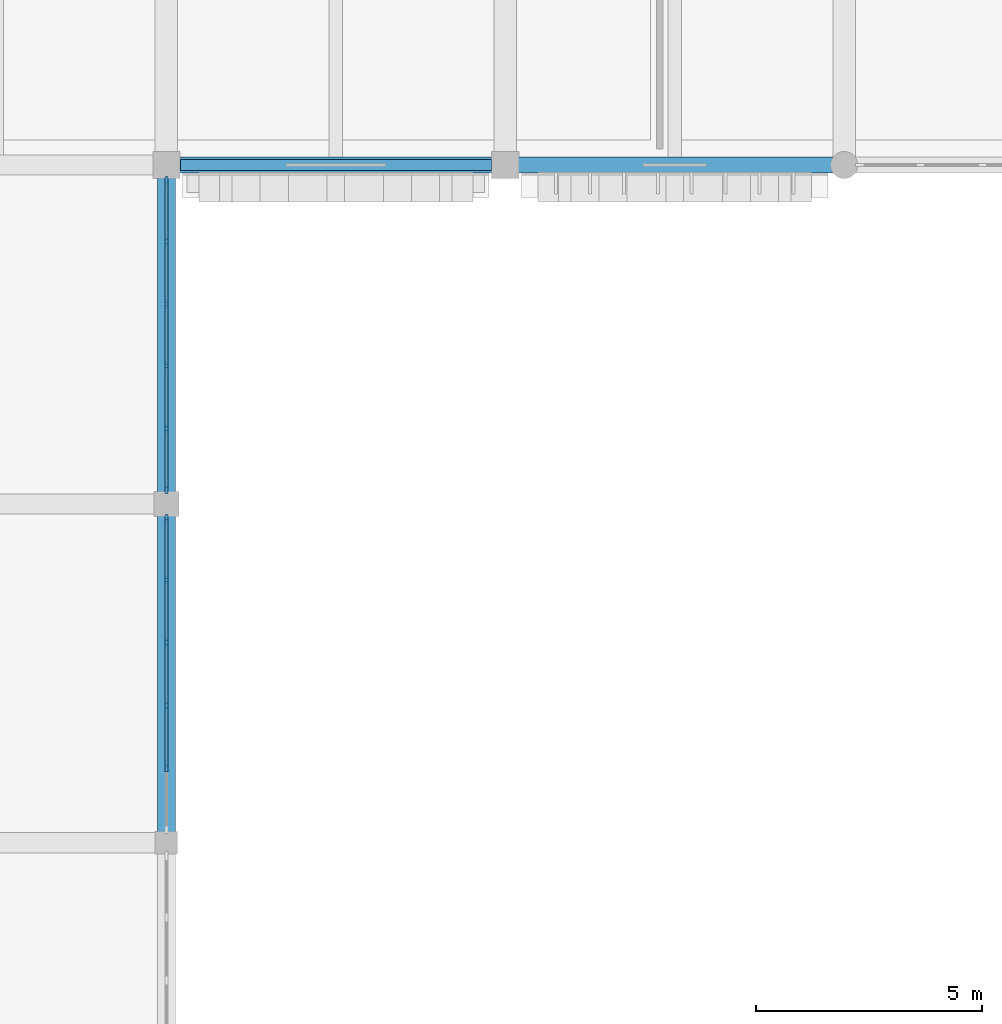
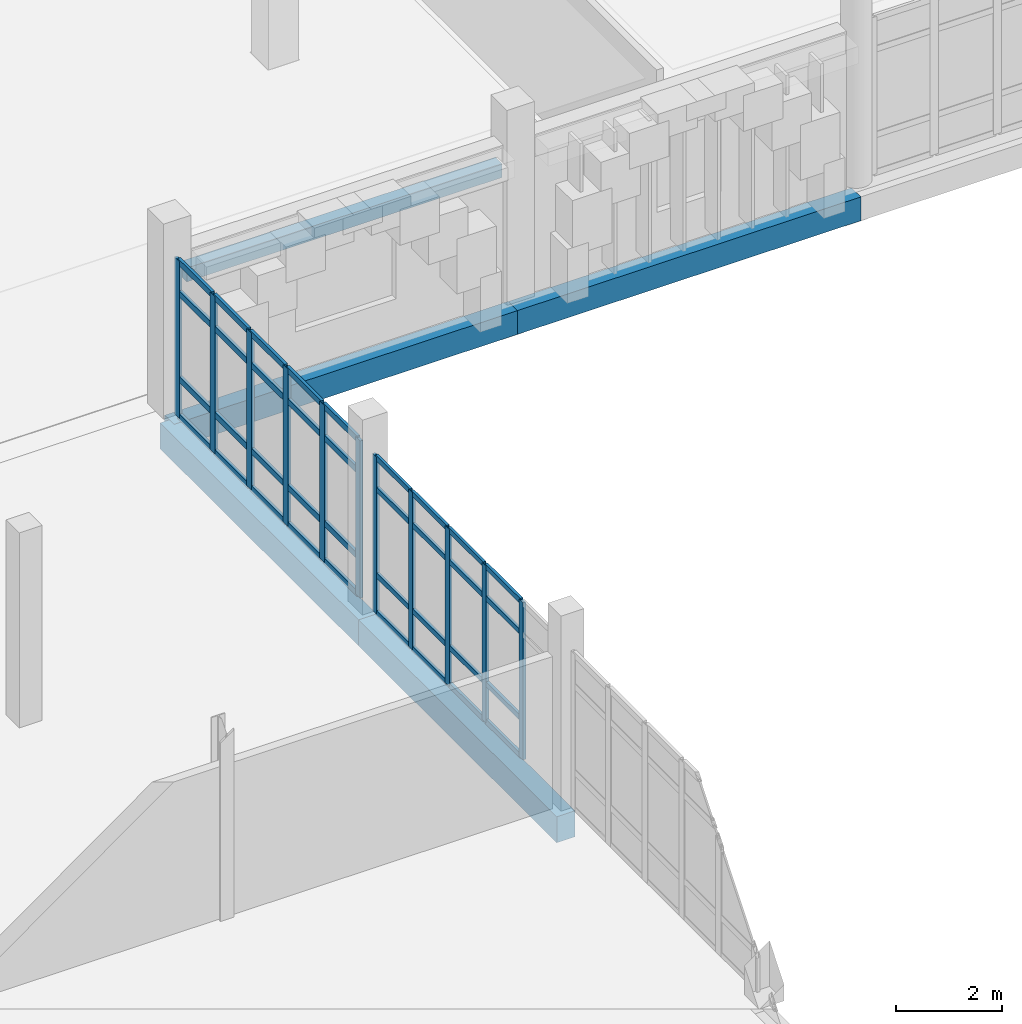
# One storey, part 52 of 128: 47 members, 5 beams, 2 elements without a shape of their own.
"""IFC4 building model written with IfcOpenShell, lengths in metres."""

from ifc_helpers import new_model, si_unit, direction, frame, origin, origin_2d, place, context, subcontext, project, spatial, rectangle, extrude, material, layer, layer_set, material_profile, profile_set, type_object, element, aggregate, save


model = new_model("IFC4")

# Units and contexts
model_context = context("Model", 3, precision=1e-05, world=origin(), true_north=direction((0.0, 1.0)))
body_context = subcontext(model_context, "Body", "Model", "MODEL_VIEW")
ifc_project = project(units=[si_unit("LENGTHUNIT", "METRE"), si_unit("AREAUNIT", "SQUARE_METRE"), si_unit("VOLUMEUNIT", "CUBIC_METRE"), si_unit("PLANEANGLEUNIT", "RADIAN"), si_unit("MASSUNIT", "GRAM", prefix="KILO")], contexts=[model_context])

# Site, building, storey
site_placement = place(None, origin())
site = spatial("IfcSite", under=ifc_project, at=site_placement, CompositionType="ELEMENT")
building_placement = place(site_placement, origin())
building = spatial("IfcBuilding", under=site, at=building_placement, Name="Dalvernix Boulevard General Hospital", CompositionType="ELEMENT")
storey_placement = place(building_placement, frame((0.0, 0.0, 4.800048828125)))
storey = spatial("IfcBuildingStorey", under=building, at=storey_placement, Name="L01", CompositionType="ELEMENT", Elevation=4.800048828125)

# Beams
ifc_material_1 = material(Name="Precast concrete C40/50", Category="concrete")
ifc_material_profile_1 = material_profile(ifc_material_1, rectangle(XDim=0.25, YDim=0.320068359375, at=origin_2d()), Name="RCL 250x320")
ifc_profile_set_1 = profile_set([ifc_material_profile_1], Name="Precast concrete C40/50")
beam_type_1 = type_object("IfcBeamType", Name="BM-LB-01", PredefinedType="LINTEL", material=ifc_profile_set_1)
beam_placement = place(storey_placement, frame((119.68994140625, 76.5, 3.010009765625), z_axis=(-1.0, 0.0, 0.0), x_axis=(0.0, -1.0, 0.0)))
element("IfcBeam", 1, at=beam_placement, inside=storey, type_object=beam_type_1, Name="L01 precast window lintel S 15-10", PredefinedType="LINTEL", context=body_context, shape_type="SweptSolid", body=[
    extrude(rectangle(XDim=0.25, YDim=0.320068359375, at=origin_2d()), origin(), (0.0, 0.0, 1.0), 6.8798828125),
])
ifc_material_2 = material(Name="Concrete C35/45", Category="concrete")
ifc_material_profile_2 = material_profile(ifc_material_2, rectangle(XDim=0.35009765625, YDim=0.550048828125, at=origin_2d()), Name="RCB 350x550")
ifc_profile_set_2 = profile_set([ifc_material_profile_2], Name="Concrete C35/45")
beam_type_2 = type_object("IfcBeamType", Name="BM-SB-01-E", PredefinedType="SPANDREL", material=ifc_profile_set_2)
for number, where, z_axis, x_axis, name in (
    (2, (112.5, 76.5, -0.574951171875), (1.0, 0.0, 0.0), (0.0, 1.0, 0.0), "L01 E-W girder L:16-17"),
    (3, (120.0, 76.5, -0.574951171875), (1.0, 0.0, 0.0), (0.0, 1.0, 0.0), "L01 E-W girder L:17-18"),
):
    element("IfcBeam", number, at=place(storey_placement, frame(where, z_axis=z_axis, x_axis=x_axis)), inside=storey, type_object=beam_type_2, Name=name, PredefinedType="SPANDREL", context=body_context, shape_type="SweptSolid", body=[
        extrude(rectangle(XDim=0.35009765625, YDim=0.550048828125, at=origin_2d()), origin(), (0.0, 0.0, 1.0), 7.5),
    ])
ifc_material_profile_3 = material_profile(ifc_material_2, rectangle(XDim=0.39990234375, YDim=0.60009765625, at=origin_2d()), Name="RCB 400x600")
ifc_profile_set_3 = profile_set([ifc_material_profile_3], Name="Concrete C35/45")
beam_type_3 = type_object("IfcBeamType", Name="BM-SB-02-E", PredefinedType="SPANDREL", material=ifc_profile_set_3)
for number, where, z_axis, x_axis, name in (
    (4, (112.5, 61.5, -0.60009765625), (0.0, 1.0, 0.0), (-1.0, 0.0, 0.0), "L01 N-S girder 16:J-K"),
    (5, (112.5, 69.0, -0.60009765625), (0.0, 1.0, 0.0), (-1.0, 0.0, 0.0), "L01 N-S girder 16:K-L"),
):
    element("IfcBeam", number, at=place(storey_placement, frame(where, z_axis=z_axis, x_axis=x_axis)), inside=storey, type_object=beam_type_3, Name=name, PredefinedType="SPANDREL", context=body_context, shape_type="SweptSolid", body=[
        extrude(rectangle(XDim=0.39990234375, YDim=0.60009765625, at=origin_2d()), origin(), (0.0, 0.0, 1.0), 7.5),
    ])

# Curtain wall, members
ifc_material_3 = material(Name="Thermally broken aluminium and solar-control glass curtain wall", Category="aluminium")
ifc_layer_1 = layer(ifc_material_3, 0.159912109375)
ifc_layer_set_1 = layer_set([ifc_layer_1], Name="Thermally broken aluminium and solar-control glass curtain wall (CW-CW-A-70x36)")
curtain_wall_type_1 = type_object("IfcCurtainWallType", Name="CW-CW-A-70x36", PredefinedType="USERDEFINED", material=ifc_layer_set_1)
curtain_wall_1_placement = place(storey_placement, origin())
curtain_wall_1 = element("IfcCurtainWall", 6, at=curtain_wall_1_placement, inside=storey, type_object=curtain_wall_type_1, Name="L01 curtain wall CW-A-70x36 15-8", ObjectType="GLAZED FACADE", PredefinedType="USERDEFINED")
ifc_material_4 = material(Name="Aluminium EN AW-6060", Category="aluminium")
ifc_material_profile_4 = material_profile(ifc_material_4, rectangle(XDim=0.06005859375, YDim=0.159912109375, at=origin_2d()), Name="ALU MULL 60x160")
ifc_profile_set_4 = profile_set([ifc_material_profile_4], Name="Aluminium EN AW-6060")
member_type_1 = type_object("IfcMemberType", Name="MEM-CW-M1", PredefinedType="MULLION", material=ifc_profile_set_4)
member_1_placement = place(storey_placement, frame((112.5, 68.68505859375, 0.0), z_axis=(0.0, 0.0, 1.0), x_axis=(1.0, 0.0, 0.0)))
member_1 = element("IfcMember", 7, at=member_1_placement, type_object=member_type_1, Name="CW-A-70x36 mullion 1", PredefinedType="MULLION", context=body_context, shape_type="SweptSolid", body=[
    extrude(rectangle(XDim=0.06005859375, YDim=0.159912109375, at=origin_2d()), origin(), (0.0, 0.0, 1.0), 3.6298828125),
])
member_2_placement = place(storey_placement, frame((112.5, 67.323974609375, 0.0), z_axis=(0.0, 0.0, 1.0), x_axis=(1.0, 0.0, 0.0)))
member_2 = element("IfcMember", 8, at=member_2_placement, type_object=member_type_1, Name="CW-A-70x36 mullion 2", PredefinedType="MULLION", context=body_context, shape_type="SweptSolid", body=[
    extrude(rectangle(XDim=0.06005859375, YDim=0.159912109375, at=origin_2d()), origin(), (0.0, 0.0, 1.0), 3.6298828125),
])
member_3_placement = place(storey_placement, frame((112.5, 65.93310546875, 0.0), z_axis=(0.0, 0.0, 1.0), x_axis=(1.0, 0.0, 0.0)))
member_3 = element("IfcMember", 9, at=member_3_placement, type_object=member_type_1, Name="CW-A-70x36 mullion 3", PredefinedType="MULLION", context=body_context, shape_type="SweptSolid", body=[
    extrude(rectangle(XDim=0.06005859375, YDim=0.159912109375, at=origin_2d()), origin(), (0.0, 0.0, 1.0), 3.6298828125),
])
member_4_placement = place(storey_placement, frame((112.5, 64.5419921875, 0.0), z_axis=(0.0, 0.0, 1.0), x_axis=(1.0, 0.0, 0.0)))
member_4 = element("IfcMember", 10, at=member_4_placement, type_object=member_type_1, Name="CW-A-70x36 mullion 4", PredefinedType="MULLION", context=body_context, shape_type="SweptSolid", body=[
    extrude(rectangle(XDim=0.06005859375, YDim=0.159912109375, at=origin_2d()), origin(), (0.0, 0.0, 1.0), 3.6298828125),
])
member_5_placement = place(storey_placement, frame((112.5, 63.15087890625, 0.0), z_axis=(0.0, 0.0, 1.0), x_axis=(1.0, 0.0, 0.0)))
member_5 = element("IfcMember", 11, at=member_5_placement, type_object=member_type_1, Name="CW-A-70x36 mullion 5", PredefinedType="MULLION", context=body_context, shape_type="SweptSolid", body=[
    extrude(rectangle(XDim=0.06005859375, YDim=0.159912109375, at=origin_2d()), origin(), (0.0, 0.0, 1.0), 3.6298828125),
])

ifc_layer_2 = layer(ifc_material_3, 0.179931640625)
ifc_layer_set_2 = layer_set([ifc_layer_2], Name="Thermally broken aluminium and solar-control glass curtain wall (CW-CW-B-69x36)")
curtain_wall_type_2 = type_object("IfcCurtainWallType", Name="CW-CW-B-69x36", PredefinedType="USERDEFINED", material=ifc_layer_set_2)
curtain_wall_2_placement = place(storey_placement, origin())
curtain_wall_2 = element("IfcCurtainWall", 12, at=curtain_wall_2_placement, inside=storey, type_object=curtain_wall_type_2, Name="L01 curtain wall CW-B-69x36 15-9", ObjectType="GLAZED FACADE", PredefinedType="USERDEFINED")
ifc_material_profile_5 = material_profile(ifc_material_4, rectangle(XDim=0.06494140625, YDim=0.179931640625, at=origin_2d()), Name="ALU MULL 65x180")
ifc_profile_set_5 = profile_set([ifc_material_profile_5], Name="Aluminium EN AW-6060")
member_type_2 = type_object("IfcMemberType", Name="MEM-CW-M2", PredefinedType="MULLION", material=ifc_profile_set_5)
member_6_placement = place(storey_placement, frame((112.5, 76.157470703125, 0.0), z_axis=(0.0, 0.0, 1.0), x_axis=(1.0, 0.0, 0.0)))
member_6 = element("IfcMember", 13, at=member_6_placement, type_object=member_type_2, Name="CW-B-69x36 mullion 1", PredefinedType="MULLION", context=body_context, shape_type="SweptSolid", body=[
    extrude(rectangle(XDim=0.06494140625, YDim=0.179931640625, at=origin_2d()), origin(), (0.0, 0.0, 1.0), 3.6298828125),
])
member_7_placement = place(storey_placement, frame((112.5, 74.80908203125, 0.0), z_axis=(0.0, 0.0, 1.0), x_axis=(1.0, 0.0, 0.0)))
member_7 = element("IfcMember", 14, at=member_7_placement, type_object=member_type_2, Name="CW-B-69x36 mullion 2", PredefinedType="MULLION", context=body_context, shape_type="SweptSolid", body=[
    extrude(rectangle(XDim=0.06494140625, YDim=0.179931640625, at=origin_2d()), origin(), (0.0, 0.0, 1.0), 3.6298828125),
])
member_8_placement = place(storey_placement, frame((112.5, 73.427978515625, 0.0), z_axis=(0.0, 0.0, 1.0), x_axis=(1.0, 0.0, 0.0)))
member_8 = element("IfcMember", 15, at=member_8_placement, type_object=member_type_2, Name="CW-B-69x36 mullion 3", PredefinedType="MULLION", context=body_context, shape_type="SweptSolid", body=[
    extrude(rectangle(XDim=0.06494140625, YDim=0.179931640625, at=origin_2d()), origin(), (0.0, 0.0, 1.0), 3.6298828125),
])
member_9_placement = place(storey_placement, frame((112.5, 72.047119140625, 0.0), z_axis=(0.0, 0.0, 1.0), x_axis=(1.0, 0.0, 0.0)))
member_9 = element("IfcMember", 16, at=member_9_placement, type_object=member_type_2, Name="CW-B-69x36 mullion 4", PredefinedType="MULLION", context=body_context, shape_type="SweptSolid", body=[
    extrude(rectangle(XDim=0.06494140625, YDim=0.179931640625, at=origin_2d()), origin(), (0.0, 0.0, 1.0), 3.6298828125),
])
member_10_placement = place(storey_placement, frame((112.5, 70.666015625, 0.0), z_axis=(0.0, 0.0, 1.0), x_axis=(1.0, 0.0, 0.0)))
member_10 = element("IfcMember", 17, at=member_10_placement, type_object=member_type_2, Name="CW-B-69x36 mullion 5", PredefinedType="MULLION", context=body_context, shape_type="SweptSolid", body=[
    extrude(rectangle(XDim=0.06494140625, YDim=0.179931640625, at=origin_2d()), origin(), (0.0, 0.0, 1.0), 3.6298828125),
])
member_11_placement = place(storey_placement, frame((112.5, 69.3173828125, 0.0), z_axis=(0.0, 0.0, 1.0), x_axis=(1.0, 0.0, 0.0)))
member_11 = element("IfcMember", 18, at=member_11_placement, type_object=member_type_2, Name="CW-B-69x36 mullion 6", PredefinedType="MULLION", context=body_context, shape_type="SweptSolid", body=[
    extrude(rectangle(XDim=0.06494140625, YDim=0.179931640625, at=origin_2d()), origin(), (0.0, 0.0, 1.0), 3.6298828125),
])

# Member
ifc_material_profile_6 = material_profile(ifc_material_4, rectangle(XDim=0.06005859375, YDim=0.1201171875, at=origin_2d()), Name="ALU TRAN 60x120")
ifc_profile_set_6 = profile_set([ifc_material_profile_6], Name="Aluminium EN AW-6060")
member_type_3 = type_object("IfcMemberType", Name="MEM-CW-T1", PredefinedType="USERDEFINED", material=ifc_profile_set_6)
member_12_placement = place(storey_placement, frame((112.5, 68.655029296875, 0.030029296875), z_axis=(0.0, -1.0, 0.0), x_axis=(1.0, 0.0, 0.0)))
member_12 = element("IfcMember", 19, at=member_12_placement, type_object=member_type_3, Name="CW-A-70x36 transom 1.1", ObjectType="TRANSOM", PredefinedType="USERDEFINED", context=body_context, shape_type="SweptSolid", body=[
    extrude(rectangle(XDim=0.06005859375, YDim=0.1201171875, at=origin_2d()), origin(), (0.0, 0.0, 1.0), 1.301025390625),
])

member_13_placement = place(storey_placement, frame((112.5, 68.655029296875, 0.89990234375), z_axis=(0.0, -1.0, 0.0), x_axis=(1.0, 0.0, 0.0)))
member_13 = element("IfcMember", 20, at=member_13_placement, type_object=member_type_3, Name="CW-A-70x36 transom 1.2", ObjectType="TRANSOM", PredefinedType="USERDEFINED", context=body_context, shape_type="SweptSolid", body=[
    extrude(rectangle(XDim=0.06005859375, YDim=0.1201171875, at=origin_2d()), origin(), (0.0, 0.0, 1.0), 1.301025390625),
])

member_14_placement = place(storey_placement, frame((112.5, 68.655029296875, 2.8798828125), z_axis=(0.0, -1.0, 0.0), x_axis=(1.0, 0.0, 0.0)))
member_14 = element("IfcMember", 21, at=member_14_placement, type_object=member_type_3, Name="CW-A-70x36 transom 1.3", ObjectType="TRANSOM", PredefinedType="USERDEFINED", context=body_context, shape_type="SweptSolid", body=[
    extrude(rectangle(XDim=0.06005859375, YDim=0.1201171875, at=origin_2d()), origin(), (0.0, 0.0, 1.0), 1.301025390625),
])

member_15_placement = place(storey_placement, frame((112.5, 68.655029296875, 3.599853515625), z_axis=(0.0, -1.0, 0.0), x_axis=(1.0, 0.0, 0.0)))
member_15 = element("IfcMember", 22, at=member_15_placement, type_object=member_type_3, Name="CW-A-70x36 transom 1.4", ObjectType="TRANSOM", PredefinedType="USERDEFINED", context=body_context, shape_type="SweptSolid", body=[
    extrude(rectangle(XDim=0.06005859375, YDim=0.1201171875, at=origin_2d()), origin(), (0.0, 0.0, 1.0), 1.301025390625),
])

member_16_placement = place(storey_placement, frame((112.5, 67.2939453125, 0.030029296875), z_axis=(0.0, -1.0, 0.0), x_axis=(1.0, 0.0, 0.0)))
member_16 = element("IfcMember", 23, at=member_16_placement, type_object=member_type_3, Name="CW-A-70x36 transom 2.1", ObjectType="TRANSOM", PredefinedType="USERDEFINED", context=body_context, shape_type="SweptSolid", body=[
    extrude(rectangle(XDim=0.06005859375, YDim=0.1201171875, at=origin_2d()), origin(), (0.0, 0.0, 1.0), 1.3310546875),
])

member_17_placement = place(storey_placement, frame((112.5, 67.2939453125, 0.89990234375), z_axis=(0.0, -1.0, 0.0), x_axis=(1.0, 0.0, 0.0)))
member_17 = element("IfcMember", 24, at=member_17_placement, type_object=member_type_3, Name="CW-A-70x36 transom 2.2", ObjectType="TRANSOM", PredefinedType="USERDEFINED", context=body_context, shape_type="SweptSolid", body=[
    extrude(rectangle(XDim=0.06005859375, YDim=0.1201171875, at=origin_2d()), origin(), (0.0, 0.0, 1.0), 1.3310546875),
])

member_18_placement = place(storey_placement, frame((112.5, 67.2939453125, 2.8798828125), z_axis=(0.0, -1.0, 0.0), x_axis=(1.0, 0.0, 0.0)))
member_18 = element("IfcMember", 25, at=member_18_placement, type_object=member_type_3, Name="CW-A-70x36 transom 2.3", ObjectType="TRANSOM", PredefinedType="USERDEFINED", context=body_context, shape_type="SweptSolid", body=[
    extrude(rectangle(XDim=0.06005859375, YDim=0.1201171875, at=origin_2d()), origin(), (0.0, 0.0, 1.0), 1.3310546875),
])

member_19_placement = place(storey_placement, frame((112.5, 67.2939453125, 3.599853515625), z_axis=(0.0, -1.0, 0.0), x_axis=(1.0, 0.0, 0.0)))
member_19 = element("IfcMember", 26, at=member_19_placement, type_object=member_type_3, Name="CW-A-70x36 transom 2.4", ObjectType="TRANSOM", PredefinedType="USERDEFINED", context=body_context, shape_type="SweptSolid", body=[
    extrude(rectangle(XDim=0.06005859375, YDim=0.1201171875, at=origin_2d()), origin(), (0.0, 0.0, 1.0), 1.3310546875),
])

member_20_placement = place(storey_placement, frame((112.5, 65.903076171875, 0.030029296875), z_axis=(0.0, -1.0, 0.0), x_axis=(1.0, 0.0, 0.0)))
member_20 = element("IfcMember", 27, at=member_20_placement, type_object=member_type_3, Name="CW-A-70x36 transom 3.1", ObjectType="TRANSOM", PredefinedType="USERDEFINED", context=body_context, shape_type="SweptSolid", body=[
    extrude(rectangle(XDim=0.06005859375, YDim=0.1201171875, at=origin_2d()), origin(), (0.0, 0.0, 1.0), 1.3310546875),
])

member_21_placement = place(storey_placement, frame((112.5, 65.903076171875, 0.89990234375), z_axis=(0.0, -1.0, 0.0), x_axis=(1.0, 0.0, 0.0)))
member_21 = element("IfcMember", 28, at=member_21_placement, type_object=member_type_3, Name="CW-A-70x36 transom 3.2", ObjectType="TRANSOM", PredefinedType="USERDEFINED", context=body_context, shape_type="SweptSolid", body=[
    extrude(rectangle(XDim=0.06005859375, YDim=0.1201171875, at=origin_2d()), origin(), (0.0, 0.0, 1.0), 1.3310546875),
])

member_22_placement = place(storey_placement, frame((112.5, 65.903076171875, 2.8798828125), z_axis=(0.0, -1.0, 0.0), x_axis=(1.0, 0.0, 0.0)))
member_22 = element("IfcMember", 29, at=member_22_placement, type_object=member_type_3, Name="CW-A-70x36 transom 3.3", ObjectType="TRANSOM", PredefinedType="USERDEFINED", context=body_context, shape_type="SweptSolid", body=[
    extrude(rectangle(XDim=0.06005859375, YDim=0.1201171875, at=origin_2d()), origin(), (0.0, 0.0, 1.0), 1.3310546875),
])

member_23_placement = place(storey_placement, frame((112.5, 65.903076171875, 3.599853515625), z_axis=(0.0, -1.0, 0.0), x_axis=(1.0, 0.0, 0.0)))
member_23 = element("IfcMember", 30, at=member_23_placement, type_object=member_type_3, Name="CW-A-70x36 transom 3.4", ObjectType="TRANSOM", PredefinedType="USERDEFINED", context=body_context, shape_type="SweptSolid", body=[
    extrude(rectangle(XDim=0.06005859375, YDim=0.1201171875, at=origin_2d()), origin(), (0.0, 0.0, 1.0), 1.3310546875),
])

member_24_placement = place(storey_placement, frame((112.5, 64.511962890625, 0.030029296875), z_axis=(0.0, -1.0, 0.0), x_axis=(1.0, 0.0, 0.0)))
member_24 = element("IfcMember", 31, at=member_24_placement, type_object=member_type_3, Name="CW-A-70x36 transom 4.1", ObjectType="TRANSOM", PredefinedType="USERDEFINED", context=body_context, shape_type="SweptSolid", body=[
    extrude(rectangle(XDim=0.06005859375, YDim=0.1201171875, at=origin_2d()), origin(), (0.0, 0.0, 1.0), 1.3310546875),
])

member_25_placement = place(storey_placement, frame((112.5, 64.511962890625, 0.89990234375), z_axis=(0.0, -1.0, 0.0), x_axis=(1.0, 0.0, 0.0)))
member_25 = element("IfcMember", 32, at=member_25_placement, type_object=member_type_3, Name="CW-A-70x36 transom 4.2", ObjectType="TRANSOM", PredefinedType="USERDEFINED", context=body_context, shape_type="SweptSolid", body=[
    extrude(rectangle(XDim=0.06005859375, YDim=0.1201171875, at=origin_2d()), origin(), (0.0, 0.0, 1.0), 1.3310546875),
])

member_26_placement = place(storey_placement, frame((112.5, 64.511962890625, 2.8798828125), z_axis=(0.0, -1.0, 0.0), x_axis=(1.0, 0.0, 0.0)))
member_26 = element("IfcMember", 33, at=member_26_placement, type_object=member_type_3, Name="CW-A-70x36 transom 4.3", ObjectType="TRANSOM", PredefinedType="USERDEFINED", context=body_context, shape_type="SweptSolid", body=[
    extrude(rectangle(XDim=0.06005859375, YDim=0.1201171875, at=origin_2d()), origin(), (0.0, 0.0, 1.0), 1.3310546875),
])

member_27_placement = place(storey_placement, frame((112.5, 64.511962890625, 3.599853515625), z_axis=(0.0, -1.0, 0.0), x_axis=(1.0, 0.0, 0.0)))
member_27 = element("IfcMember", 34, at=member_27_placement, type_object=member_type_3, Name="CW-A-70x36 transom 4.4", ObjectType="TRANSOM", PredefinedType="USERDEFINED", context=body_context, shape_type="SweptSolid", body=[
    extrude(rectangle(XDim=0.06005859375, YDim=0.1201171875, at=origin_2d()), origin(), (0.0, 0.0, 1.0), 1.3310546875),
])

aggregate(curtain_wall_1, [member_1, member_2, member_3, member_4, member_5, member_12, member_13, member_14, member_15, member_16, member_17, member_18, member_19, member_20, member_21, member_22, member_23, member_24, member_25, member_26, member_27])

ifc_material_profile_7 = material_profile(ifc_material_4, rectangle(XDim=0.06494140625, YDim=0.139892578125, at=origin_2d()), Name="ALU TRAN 65x140")
ifc_profile_set_7 = profile_set([ifc_material_profile_7], Name="Aluminium EN AW-6060")
member_type_4 = type_object("IfcMemberType", Name="MEM-CW-T2", PredefinedType="USERDEFINED", material=ifc_profile_set_7)
member_28_placement = place(storey_placement, frame((112.5, 76.125, 0.032470703125), z_axis=(0.0, -1.0, 0.0), x_axis=(1.0, 0.0, 0.0)))
member_28 = element("IfcMember", 35, at=member_28_placement, type_object=member_type_4, Name="CW-B-69x36 transom 1.1", ObjectType="TRANSOM", PredefinedType="USERDEFINED", context=body_context, shape_type="SweptSolid", body=[
    extrude(rectangle(XDim=0.06494140625, YDim=0.139892578125, at=origin_2d()), origin(), (0.0, 0.0, 1.0), 1.283447265625),
])

member_29_placement = place(storey_placement, frame((112.5, 76.125, 0.89990234375), z_axis=(0.0, -1.0, 0.0), x_axis=(1.0, 0.0, 0.0)))
member_29 = element("IfcMember", 36, at=member_29_placement, type_object=member_type_4, Name="CW-B-69x36 transom 1.2", ObjectType="TRANSOM", PredefinedType="USERDEFINED", context=body_context, shape_type="SweptSolid", body=[
    extrude(rectangle(XDim=0.06494140625, YDim=0.139892578125, at=origin_2d()), origin(), (0.0, 0.0, 1.0), 1.283447265625),
])

member_30_placement = place(storey_placement, frame((112.5, 76.125, 2.8798828125), z_axis=(0.0, -1.0, 0.0), x_axis=(1.0, 0.0, 0.0)))
member_30 = element("IfcMember", 37, at=member_30_placement, type_object=member_type_4, Name="CW-B-69x36 transom 1.3", ObjectType="TRANSOM", PredefinedType="USERDEFINED", context=body_context, shape_type="SweptSolid", body=[
    extrude(rectangle(XDim=0.06494140625, YDim=0.139892578125, at=origin_2d()), origin(), (0.0, 0.0, 1.0), 1.283447265625),
])

member_31_placement = place(storey_placement, frame((112.5, 76.125, 3.597412109375), z_axis=(0.0, -1.0, 0.0), x_axis=(1.0, 0.0, 0.0)))
member_31 = element("IfcMember", 38, at=member_31_placement, type_object=member_type_4, Name="CW-B-69x36 transom 1.4", ObjectType="TRANSOM", PredefinedType="USERDEFINED", context=body_context, shape_type="SweptSolid", body=[
    extrude(rectangle(XDim=0.06494140625, YDim=0.139892578125, at=origin_2d()), origin(), (0.0, 0.0, 1.0), 1.283447265625),
])

member_32_placement = place(storey_placement, frame((112.5, 74.776611328125, 0.032470703125), z_axis=(0.0, -1.0, 0.0), x_axis=(1.0, 0.0, 0.0)))
member_32 = element("IfcMember", 39, at=member_32_placement, type_object=member_type_4, Name="CW-B-69x36 transom 2.1", ObjectType="TRANSOM", PredefinedType="USERDEFINED", context=body_context, shape_type="SweptSolid", body=[
    extrude(rectangle(XDim=0.06494140625, YDim=0.139892578125, at=origin_2d()), origin(), (0.0, 0.0, 1.0), 1.316162109375),
])

member_33_placement = place(storey_placement, frame((112.5, 74.776611328125, 0.89990234375), z_axis=(0.0, -1.0, 0.0), x_axis=(1.0, 0.0, 0.0)))
member_33 = element("IfcMember", 40, at=member_33_placement, type_object=member_type_4, Name="CW-B-69x36 transom 2.2", ObjectType="TRANSOM", PredefinedType="USERDEFINED", context=body_context, shape_type="SweptSolid", body=[
    extrude(rectangle(XDim=0.06494140625, YDim=0.139892578125, at=origin_2d()), origin(), (0.0, 0.0, 1.0), 1.316162109375),
])

member_34_placement = place(storey_placement, frame((112.5, 74.776611328125, 2.8798828125), z_axis=(0.0, -1.0, 0.0), x_axis=(1.0, 0.0, 0.0)))
member_34 = element("IfcMember", 41, at=member_34_placement, type_object=member_type_4, Name="CW-B-69x36 transom 2.3", ObjectType="TRANSOM", PredefinedType="USERDEFINED", context=body_context, shape_type="SweptSolid", body=[
    extrude(rectangle(XDim=0.06494140625, YDim=0.139892578125, at=origin_2d()), origin(), (0.0, 0.0, 1.0), 1.316162109375),
])

member_35_placement = place(storey_placement, frame((112.5, 74.776611328125, 3.597412109375), z_axis=(0.0, -1.0, 0.0), x_axis=(1.0, 0.0, 0.0)))
member_35 = element("IfcMember", 42, at=member_35_placement, type_object=member_type_4, Name="CW-B-69x36 transom 2.4", ObjectType="TRANSOM", PredefinedType="USERDEFINED", context=body_context, shape_type="SweptSolid", body=[
    extrude(rectangle(XDim=0.06494140625, YDim=0.139892578125, at=origin_2d()), origin(), (0.0, 0.0, 1.0), 1.316162109375),
])

member_36_placement = place(storey_placement, frame((112.5, 73.3955078125, 0.032470703125), z_axis=(0.0, -1.0, 0.0), x_axis=(1.0, 0.0, 0.0)))
member_36 = element("IfcMember", 43, at=member_36_placement, type_object=member_type_4, Name="CW-B-69x36 transom 3.1", ObjectType="TRANSOM", PredefinedType="USERDEFINED", context=body_context, shape_type="SweptSolid", body=[
    extrude(rectangle(XDim=0.06494140625, YDim=0.139892578125, at=origin_2d()), origin(), (0.0, 0.0, 1.0), 1.31591796875),
])

member_37_placement = place(storey_placement, frame((112.5, 73.3955078125, 0.89990234375), z_axis=(0.0, -1.0, 0.0), x_axis=(1.0, 0.0, 0.0)))
member_37 = element("IfcMember", 44, at=member_37_placement, type_object=member_type_4, Name="CW-B-69x36 transom 3.2", ObjectType="TRANSOM", PredefinedType="USERDEFINED", context=body_context, shape_type="SweptSolid", body=[
    extrude(rectangle(XDim=0.06494140625, YDim=0.139892578125, at=origin_2d()), origin(), (0.0, 0.0, 1.0), 1.31591796875),
])

member_38_placement = place(storey_placement, frame((112.5, 73.3955078125, 2.8798828125), z_axis=(0.0, -1.0, 0.0), x_axis=(1.0, 0.0, 0.0)))
member_38 = element("IfcMember", 45, at=member_38_placement, type_object=member_type_4, Name="CW-B-69x36 transom 3.3", ObjectType="TRANSOM", PredefinedType="USERDEFINED", context=body_context, shape_type="SweptSolid", body=[
    extrude(rectangle(XDim=0.06494140625, YDim=0.139892578125, at=origin_2d()), origin(), (0.0, 0.0, 1.0), 1.31591796875),
])

member_39_placement = place(storey_placement, frame((112.5, 73.3955078125, 3.597412109375), z_axis=(0.0, -1.0, 0.0), x_axis=(1.0, 0.0, 0.0)))
member_39 = element("IfcMember", 46, at=member_39_placement, type_object=member_type_4, Name="CW-B-69x36 transom 3.4", ObjectType="TRANSOM", PredefinedType="USERDEFINED", context=body_context, shape_type="SweptSolid", body=[
    extrude(rectangle(XDim=0.06494140625, YDim=0.139892578125, at=origin_2d()), origin(), (0.0, 0.0, 1.0), 1.31591796875),
])

member_40_placement = place(storey_placement, frame((112.5, 72.014404296875, 0.032470703125), z_axis=(0.0, -1.0, 0.0), x_axis=(1.0, 0.0, 0.0)))
member_40 = element("IfcMember", 47, at=member_40_placement, type_object=member_type_4, Name="CW-B-69x36 transom 4.1", ObjectType="TRANSOM", PredefinedType="USERDEFINED", context=body_context, shape_type="SweptSolid", body=[
    extrude(rectangle(XDim=0.06494140625, YDim=0.139892578125, at=origin_2d()), origin(), (0.0, 0.0, 1.0), 1.31591796875),
])

member_41_placement = place(storey_placement, frame((112.5, 72.014404296875, 0.89990234375), z_axis=(0.0, -1.0, 0.0), x_axis=(1.0, 0.0, 0.0)))
member_41 = element("IfcMember", 48, at=member_41_placement, type_object=member_type_4, Name="CW-B-69x36 transom 4.2", ObjectType="TRANSOM", PredefinedType="USERDEFINED", context=body_context, shape_type="SweptSolid", body=[
    extrude(rectangle(XDim=0.06494140625, YDim=0.139892578125, at=origin_2d()), origin(), (0.0, 0.0, 1.0), 1.31591796875),
])

member_42_placement = place(storey_placement, frame((112.5, 72.014404296875, 2.8798828125), z_axis=(0.0, -1.0, 0.0), x_axis=(1.0, 0.0, 0.0)))
member_42 = element("IfcMember", 49, at=member_42_placement, type_object=member_type_4, Name="CW-B-69x36 transom 4.3", ObjectType="TRANSOM", PredefinedType="USERDEFINED", context=body_context, shape_type="SweptSolid", body=[
    extrude(rectangle(XDim=0.06494140625, YDim=0.139892578125, at=origin_2d()), origin(), (0.0, 0.0, 1.0), 1.31591796875),
])

member_43_placement = place(storey_placement, frame((112.5, 72.014404296875, 3.597412109375), z_axis=(0.0, -1.0, 0.0), x_axis=(1.0, 0.0, 0.0)))
member_43 = element("IfcMember", 50, at=member_43_placement, type_object=member_type_4, Name="CW-B-69x36 transom 4.4", ObjectType="TRANSOM", PredefinedType="USERDEFINED", context=body_context, shape_type="SweptSolid", body=[
    extrude(rectangle(XDim=0.06494140625, YDim=0.139892578125, at=origin_2d()), origin(), (0.0, 0.0, 1.0), 1.31591796875),
])

member_44_placement = place(storey_placement, frame((112.5, 70.633544921875, 0.032470703125), z_axis=(0.0, -1.0, 0.0), x_axis=(1.0, 0.0, 0.0)))
member_44 = element("IfcMember", 51, at=member_44_placement, type_object=member_type_4, Name="CW-B-69x36 transom 5.1", ObjectType="TRANSOM", PredefinedType="USERDEFINED", context=body_context, shape_type="SweptSolid", body=[
    extrude(rectangle(XDim=0.06494140625, YDim=0.139892578125, at=origin_2d()), origin(), (0.0, 0.0, 1.0), 1.283447265625),
])

member_45_placement = place(storey_placement, frame((112.5, 70.633544921875, 0.89990234375), z_axis=(0.0, -1.0, 0.0), x_axis=(1.0, 0.0, 0.0)))
member_45 = element("IfcMember", 52, at=member_45_placement, type_object=member_type_4, Name="CW-B-69x36 transom 5.2", ObjectType="TRANSOM", PredefinedType="USERDEFINED", context=body_context, shape_type="SweptSolid", body=[
    extrude(rectangle(XDim=0.06494140625, YDim=0.139892578125, at=origin_2d()), origin(), (0.0, 0.0, 1.0), 1.283447265625),
])

member_46_placement = place(storey_placement, frame((112.5, 70.633544921875, 2.8798828125), z_axis=(0.0, -1.0, 0.0), x_axis=(1.0, 0.0, 0.0)))
member_46 = element("IfcMember", 53, at=member_46_placement, type_object=member_type_4, Name="CW-B-69x36 transom 5.3", ObjectType="TRANSOM", PredefinedType="USERDEFINED", context=body_context, shape_type="SweptSolid", body=[
    extrude(rectangle(XDim=0.06494140625, YDim=0.139892578125, at=origin_2d()), origin(), (0.0, 0.0, 1.0), 1.283447265625),
])

member_47_placement = place(storey_placement, frame((112.5, 70.633544921875, 3.597412109375), z_axis=(0.0, -1.0, 0.0), x_axis=(1.0, 0.0, 0.0)))
member_47 = element("IfcMember", 54, at=member_47_placement, type_object=member_type_4, Name="CW-B-69x36 transom 5.4", ObjectType="TRANSOM", PredefinedType="USERDEFINED", context=body_context, shape_type="SweptSolid", body=[
    extrude(rectangle(XDim=0.06494140625, YDim=0.139892578125, at=origin_2d()), origin(), (0.0, 0.0, 1.0), 1.283447265625),
])

aggregate(curtain_wall_2, [member_6, member_7, member_8, member_9, member_10, member_11, member_28, member_29, member_30, member_31, member_32, member_33, member_34, member_35, member_36, member_37, member_38, member_39, member_40, member_41, member_42, member_43, member_44, member_45, member_46, member_47])

save(model, "model.ifc")
